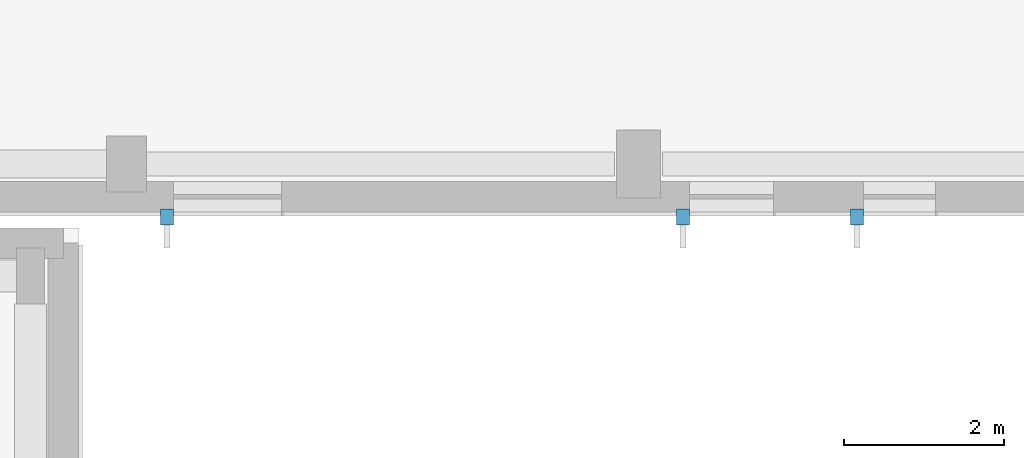
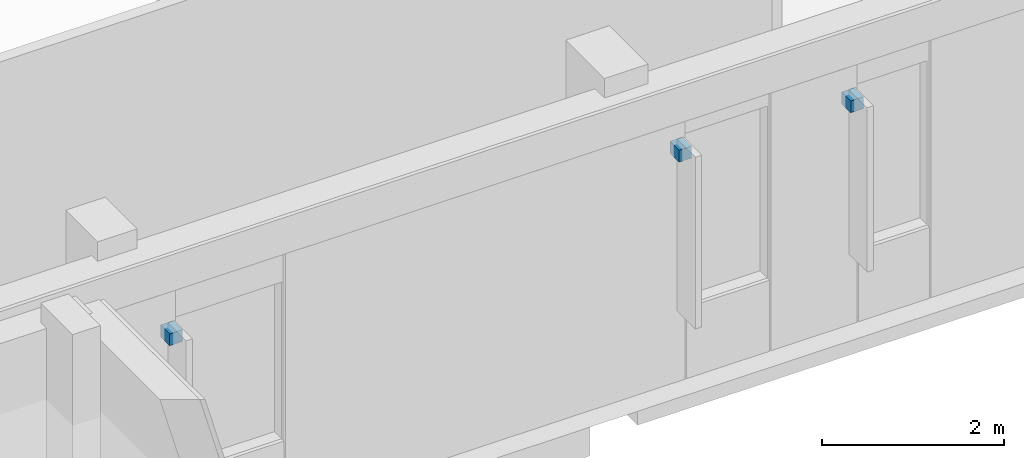
# One storey, part 60 of 84: 3 discrete accessories.
"""IFC4 building model written with IfcOpenShell, lengths in metres."""

from ifc_helpers import new_model, si_unit, direction, frame, origin, origin_2d, place, context, subcontext, project, spatial, rectangle, extrude, material, type_object, element, save


model = new_model("IFC4")

# Units and contexts
model_context = context("Model", 3, precision=1e-05, world=origin(), true_north=direction((0.0, 1.0)))
body_context = subcontext(model_context, "Body", "Model", "MODEL_VIEW")
ifc_project = project(units=[si_unit("LENGTHUNIT", "METRE"), si_unit("AREAUNIT", "SQUARE_METRE"), si_unit("VOLUMEUNIT", "CUBIC_METRE"), si_unit("PLANEANGLEUNIT", "RADIAN"), si_unit("MASSUNIT", "GRAM", prefix="KILO")], contexts=[model_context])

# Site, building, storey
site_placement = place(None, origin())
site = spatial("IfcSite", under=ifc_project, at=site_placement, CompositionType="ELEMENT")
building_placement = place(site_placement, origin())
building = spatial("IfcBuilding", under=site, at=building_placement, Name="Mzevani Central Library", CompositionType="ELEMENT")
storey_placement = place(building_placement, frame((0.0, 0.0, 5.39990234375)))
storey = spatial("IfcBuildingStorey", under=building, at=storey_placement, Name="L01", CompositionType="ELEMENT", Elevation=5.39990234375)

# Discrete accessories
ifc_material = material(Name="Steel S355J2", Category="steel")
discrete_accessory_type = type_object("IfcDiscreteAccessoryType", Name="Stainless Facade Support Bracket", PredefinedType="BRACKET", material=ifc_material)
for number, where, z_axis, x_axis, name in (
    (1, (155.330078125, 42.43994140625, 2.919921875), (0.0, 0.0, 1.0), (-1.0, 0.0, 0.0), "L01 V1 Fin Support Bracket (45)"),
    (2, (153.155029296875, 42.43994140625, 3.02001953125), (0.0, 0.0, 1.0), (-1.0, 0.0, 0.0), "L01 V1 Fin Support Bracket (46)"),
    (3, (146.705078125, 42.43994140625, 2.8203125), (0.0, 0.0, 1.0), (-1.0, 0.0, 0.0), "L01 V1 Fin Support Bracket (47)"),
):
    element("IfcDiscreteAccessory", number, at=place(storey_placement, frame(where, z_axis=z_axis, x_axis=x_axis)), inside=storey, type_object=discrete_accessory_type, Name=name, PredefinedType="BRACKET", context=body_context, shape_type="SweptSolid", body=[
        extrude(rectangle(XDim=0.159912109375, YDim=0.199951171875, at=origin_2d()), origin(), (0.0, 0.0, 1.0), 0.159912109375),
    ])

save(model, "model.ifc")
